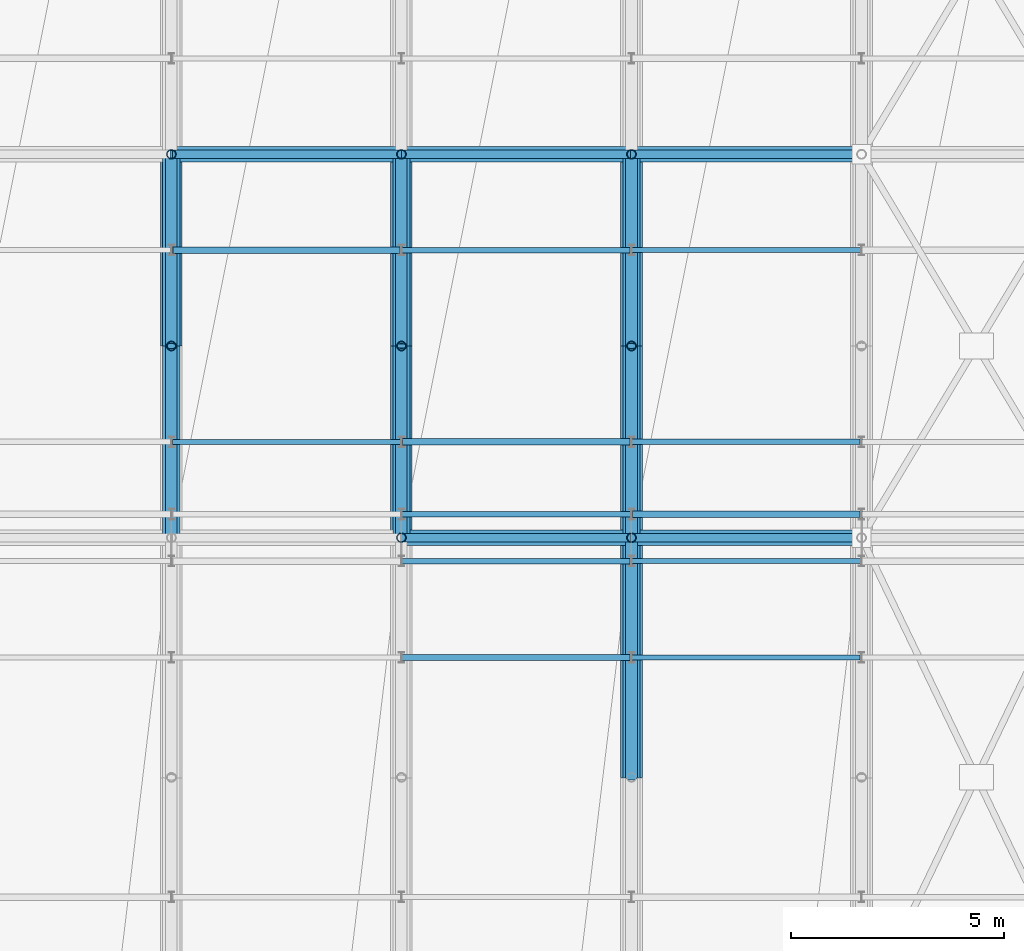
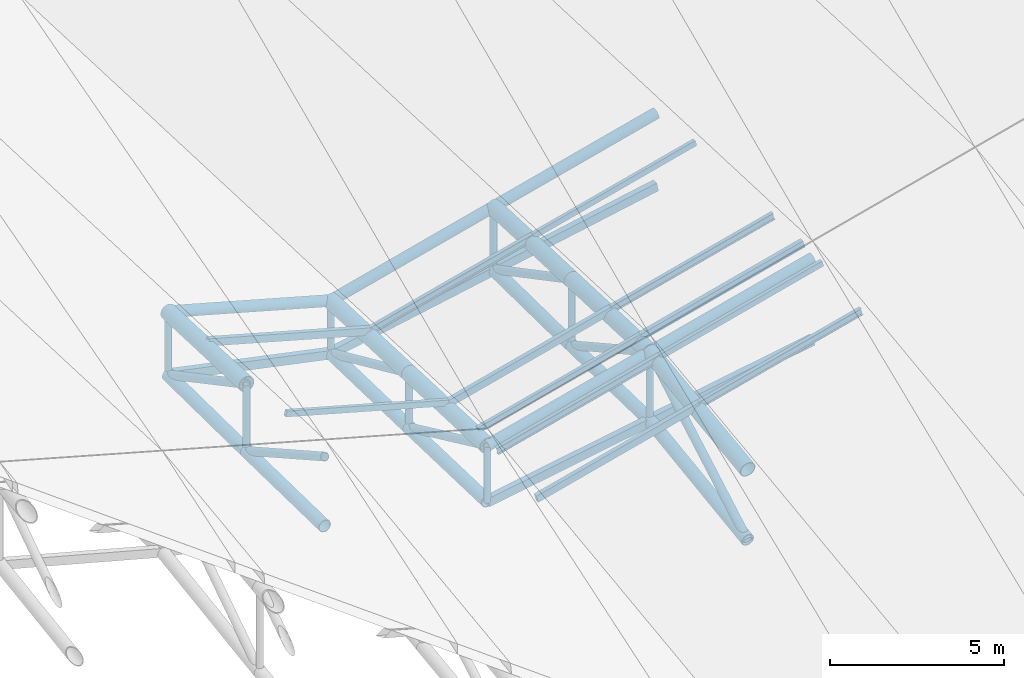
# One storey, part 20 of 109: 37 members, 13 beams.
"""IFC4 building model written with IfcOpenShell, lengths in metres."""

from ifc_helpers import new_model, si_unit, direction, frame, origin, origin_2d, place, context, subcontext, project, spatial, hollow_rectangle, hollow_circle, i_section, extrude, material, material_profile, profile_set, type_object, element, save


model = new_model("IFC4")

# Units and contexts
model_context = context("Model", 3, precision=1e-05, world=origin(), true_north=direction((0.0, 1.0)))
body_context = subcontext(model_context, "Body", "Model", "MODEL_VIEW")
ifc_project = project(units=[si_unit("LENGTHUNIT", "METRE"), si_unit("AREAUNIT", "SQUARE_METRE"), si_unit("VOLUMEUNIT", "CUBIC_METRE"), si_unit("PLANEANGLEUNIT", "RADIAN"), si_unit("MASSUNIT", "GRAM", prefix="KILO")], contexts=[model_context])

# Site, building, storey
site_placement = place(None, origin())
site = spatial("IfcSite", under=ifc_project, at=site_placement, CompositionType="ELEMENT")
building_placement = place(site_placement, origin())
building = spatial("IfcBuilding", under=site, at=building_placement, Name="Suirenkawa Promenade Aquatics Centre", CompositionType="ELEMENT")
storey_placement = place(building_placement, frame((0.0, 0.0, 22.800048828125)))
storey = spatial("IfcBuildingStorey", under=building, at=storey_placement, Name="ROOF", CompositionType="ELEMENT", Elevation=22.800048828125)

# Beams
ifc_material = material(Name="Steel IS 2062 E350 (Grade 350)", Category="steel")
ifc_material_profile_1 = material_profile(ifc_material, hollow_circle(Radius=0.202880859375, WallThickness=0.01806640625, at=origin_2d()), Name="CHS 406x18", Category="steel")
ifc_profile_set_1 = profile_set([ifc_material_profile_1], Name="Steel IS 2062 E350 (Grade 350)")
beam_type_1 = type_object("IfcBeamType", Name="BT-BC-CHS406", PredefinedType="BEAM", material=ifc_profile_set_1)
beam_1_placement = place(storey_placement, frame((84.60009765625, 95.39990234375, -10.14111328125), z_axis=(0.0, 0.99981353231, -0.01931063463), x_axis=(-1.0, 0.0, 0.0)))
element("IfcBeam", 1, at=beam_1_placement, inside=storey, type_object=beam_type_1, Name="ROOF TRUSS V1 bottom chord BC-01 BM-2020", PredefinedType="BEAM", context=body_context, shape_type="SweptSolid", body=[
    extrude(hollow_circle(Radius=0.202880859375, WallThickness=0.01806640625, at=origin_2d()), origin(), (0.0, 0.0, 1.0), 4.500732421875),
])
beam_2_placement = place(storey_placement, frame((84.60009765625, 99.89990234375, -10.22802734375), z_axis=(0.0, 0.999928127491, -0.011989155608), x_axis=(-1.0, 0.0, 0.0)))
element("IfcBeam", 2, at=beam_2_placement, inside=storey, type_object=beam_type_1, Name="ROOF TRUSS V1 bottom chord BC-01 BM-2022", PredefinedType="BEAM", context=body_context, shape_type="SweptSolid", body=[
    extrude(hollow_circle(Radius=0.202880859375, WallThickness=0.01806640625, at=origin_2d()), origin(), (0.0, 0.0, 1.0), 4.500244140625),
])
beam_3_placement = place(storey_placement, frame((90.0, 95.39990234375, -11.156005859375), z_axis=(0.0, 0.999550238504, -0.029988676318), x_axis=(-1.0, 0.0, 0.0)))
element("IfcBeam", 3, at=beam_3_placement, inside=storey, type_object=beam_type_1, Name="ROOF TRUSS V1 bottom chord BC-01 BM-2048", PredefinedType="BEAM", context=body_context, shape_type="SweptSolid", body=[
    extrude(hollow_circle(Radius=0.202880859375, WallThickness=0.01806640625, at=origin_2d()), origin(), (0.0, 0.0, 1.0), 4.501953125),
])
beam_4_placement = place(storey_placement, frame((90.0, 99.89990234375, -11.291015625), z_axis=(0.0, 0.999643939919, -0.026683204125), x_axis=(-1.0, 0.0, 0.0)))
element("IfcBeam", 4, at=beam_4_placement, inside=storey, type_object=beam_type_1, Name="ROOF TRUSS V1 bottom chord BC-01 BM-2050", PredefinedType="BEAM", context=body_context, shape_type="SweptSolid", body=[
    extrude(hollow_circle(Radius=0.202880859375, WallThickness=0.01806640625, at=origin_2d()), origin(), (0.0, 0.0, 1.0), 4.501708984375),
])
beam_5_placement = place(storey_placement, frame((95.39990234375, 89.77490234375, -10.9990234375), z_axis=(0.0, 0.990256578838, 0.139254831399), x_axis=(-1.0, 0.0, 0.0)))
element("IfcBeam", 5, at=beam_5_placement, inside=storey, type_object=beam_type_1, Name="ROOF TRUSS V1 bottom chord BC-01 BM-2074", PredefinedType="BEAM", context=body_context, shape_type="SweptSolid", body=[
    extrude(hollow_circle(Radius=0.202880859375, WallThickness=0.01806640625, at=origin_2d()), origin(), (0.0, 0.0, 1.0), 5.680419921875),
])
beam_6_placement = place(storey_placement, frame((95.39990234375, 95.39990234375, -10.2080078125), z_axis=(0.0, 0.999795303988, -0.020232402799), x_axis=(-1.0, 0.0, 0.0)))
element("IfcBeam", 6, at=beam_6_placement, inside=storey, type_object=beam_type_1, Name="ROOF TRUSS V1 bottom chord BC-01 BM-2076", PredefinedType="BEAM", context=body_context, shape_type="SweptSolid", body=[
    extrude(hollow_circle(Radius=0.202880859375, WallThickness=0.01806640625, at=origin_2d()), origin(), (0.0, 0.0, 1.0), 4.5009765625),
])
beam_7_placement = place(storey_placement, frame((95.39990234375, 99.89990234375, -10.299072265625), z_axis=(0.0, 0.999913821353, -0.013128208809), x_axis=(-1.0, 0.0, 0.0)))
element("IfcBeam", 7, at=beam_7_placement, inside=storey, type_object=beam_type_1, Name="ROOF TRUSS V1 bottom chord BC-01 BM-2078", PredefinedType="BEAM", context=body_context, shape_type="SweptSolid", body=[
    extrude(hollow_circle(Radius=0.202880859375, WallThickness=0.01806640625, at=origin_2d()), origin(), (0.0, 0.0, 1.0), 4.50048828125),
])
ifc_material_profile_2 = material_profile(ifc_material, hollow_circle(Radius=0.25390625, WallThickness=0.02392578125, at=origin_2d()), Name="CHS 508x24", Category="steel")
ifc_profile_set_2 = profile_set([ifc_material_profile_2], Name="Steel IS 2062 E350 (Grade 350)")
beam_type_2 = type_object("IfcBeamType", Name="BT-TC-CHS508", PredefinedType="BEAM", material=ifc_profile_set_2)
for number, where, z_axis, x_axis, name in (
    (8, (84.60009765625, 99.89990234375, -7.883056640625), (0.0, 0.999164352475, -0.040872934124), (-1.0, 0.0, 0.0), "ROOF TRUSS V1 top chord TC-02 BM-2021"),
    (9, (90.0, 95.39990234375, -9.199951171875), (0.0, 0.999173184279, -0.040656460949), (-1.0, 0.0, 0.0), "ROOF TRUSS V1 top chord TC-02 BM-2047"),
    (10, (90.0, 99.89990234375, -9.383056640625), (0.0, 0.999164352475, -0.040872934124), (-1.0, 0.0, 0.0), "ROOF TRUSS V1 top chord TC-02 BM-2049"),
):
    element("IfcBeam", number, at=place(storey_placement, frame(where, z_axis=z_axis, x_axis=x_axis)), inside=storey, type_object=beam_type_2, Name=name, PredefinedType="BEAM", context=body_context, shape_type="SweptSolid", body=[
        extrude(hollow_circle(Radius=0.25390625, WallThickness=0.02392578125, at=origin_2d()), origin(), (0.0, 0.0, 1.0), 4.503662109375),
    ])
beam_8_placement = place(storey_placement, frame((95.39990234375, 89.77490234375, -8.525146484375), z_axis=(0.0, 0.991793720609, 0.127848409297), x_axis=(-1.0, 0.0, 0.0)))
element("IfcBeam", 11, at=beam_8_placement, inside=storey, type_object=beam_type_2, Name="ROOF TRUSS V1 top chord TC-02 BM-2073", PredefinedType="BEAM", context=body_context, shape_type="SweptSolid", body=[
    extrude(hollow_circle(Radius=0.25390625, WallThickness=0.02392578125, at=origin_2d()), origin(), (0.0, 0.0, 1.0), 5.671630859375),
])
for number, where, z_axis, x_axis, name in (
    (12, (95.39990234375, 95.39990234375, -7.800048828125), (0.0, 0.999173184279, -0.040656460949), (-1.0, 0.0, 0.0), "ROOF TRUSS V1 top chord TC-02 BM-2075"),
    (13, (95.39990234375, 99.89990234375, -7.983154296875), (0.0, 0.999166564808, -0.040818816368), (-1.0, 0.0, 0.0), "ROOF TRUSS V1 top chord TC-02 BM-2077"),
):
    element("IfcBeam", number, at=place(storey_placement, frame(where, z_axis=z_axis, x_axis=x_axis)), inside=storey, type_object=beam_type_2, Name=name, PredefinedType="BEAM", context=body_context, shape_type="SweptSolid", body=[
        extrude(hollow_circle(Radius=0.25390625, WallThickness=0.02392578125, at=origin_2d()), origin(), (0.0, 0.0, 1.0), 4.503662109375),
    ])

# Members
ifc_material_profile_3 = material_profile(ifc_material, hollow_circle(Radius=0.177978515625, WallThickness=0.01611328125, at=origin_2d()), Name="CHS 356x16", Category="steel")
ifc_profile_set_3 = profile_set([ifc_material_profile_3], Name="Steel IS 2062 E350 (Grade 350)")
member_type_1 = type_object("IfcMemberType", Name="MT-CHORD-CHS356", PredefinedType="CHORD", material=ifc_profile_set_3)
member_1_placement = place(storey_placement, frame((90.0, 95.39990234375, -9.199951171875), z_axis=(0.968000048288, 0.0, 0.250950007997), x_axis=(0.0, 1.0, 0.0)))
element("IfcMember", 14, at=member_1_placement, inside=storey, type_object=member_type_1, Name="ROOF TRUSS V1 tie chord CH-02 MB-0824", PredefinedType="CHORD", context=body_context, shape_type="SweptSolid", body=[
    extrude(hollow_circle(Radius=0.177978515625, WallThickness=0.01611328125, at=origin_2d()), origin(), (0.0, 0.0, 1.0), 5.578369140625),
])
member_2_placement = place(storey_placement, frame((95.39990234375, 95.39990234375, -7.800048828125), z_axis=(0.96800280427, 0.0, 0.250939376992), x_axis=(0.0, 1.0, 0.0)))
element("IfcMember", 15, at=member_2_placement, inside=storey, type_object=member_type_1, Name="ROOF TRUSS V1 tie chord CH-02 MB-0826", PredefinedType="CHORD", context=body_context, shape_type="SweptSolid", body=[
    extrude(hollow_circle(Radius=0.177978515625, WallThickness=0.01611328125, at=origin_2d()), origin(), (0.0, 0.0, 1.0), 5.57861328125),
])
member_3_placement = place(storey_placement, frame((84.60009765625, 104.39990234375, -8.067138671875), z_axis=(0.963516661409, 0.0, -0.267648357342), x_axis=(0.0, 1.0, 0.0)))
element("IfcMember", 16, at=member_3_placement, inside=storey, type_object=member_type_1, Name="ROOF TRUSS V1 tie chord CH-02 MB-0862", PredefinedType="CHORD", context=body_context, shape_type="SweptSolid", body=[
    extrude(hollow_circle(Radius=0.177978515625, WallThickness=0.01611328125, at=origin_2d()), origin(), (0.0, 0.0, 1.0), 5.604248046875),
])
member_4_placement = place(storey_placement, frame((90.0, 104.39990234375, -9.567138671875), z_axis=(0.967989416096, 0.0, 0.250991016426), x_axis=(0.0, 1.0, 0.0)))
element("IfcMember", 17, at=member_4_placement, inside=storey, type_object=member_type_1, Name="ROOF TRUSS V1 tie chord CH-02 MB-0864", PredefinedType="CHORD", context=body_context, shape_type="SweptSolid", body=[
    extrude(hollow_circle(Radius=0.177978515625, WallThickness=0.01611328125, at=origin_2d()), origin(), (0.0, 0.0, 1.0), 5.578369140625),
])
member_5_placement = place(storey_placement, frame((95.39990234375, 104.39990234375, -8.1669921875), z_axis=(0.96800280427, 0.0, 0.250939376992), x_axis=(0.0, 1.0, 0.0)))
element("IfcMember", 18, at=member_5_placement, inside=storey, type_object=member_type_1, Name="ROOF TRUSS V1 tie chord CH-02 MB-0866", PredefinedType="CHORD", context=body_context, shape_type="SweptSolid", body=[
    extrude(hollow_circle(Radius=0.177978515625, WallThickness=0.01611328125, at=origin_2d()), origin(), (0.0, 0.0, 1.0), 5.57861328125),
])
ifc_material_profile_4 = material_profile(ifc_material, hollow_rectangle(XDim=0.199951171875, YDim=0.300048828125, WallThickness=0.011962890625, at=origin_2d()), Name="RHS 300x200x12", Category="steel")
ifc_profile_set_4 = profile_set([ifc_material_profile_4], Name="Steel IS 2062 E350 (Grade 350)")
member_type_2 = type_object("IfcMemberType", Name="MT-CHORD-RHS300", PredefinedType="CHORD", material=ifc_profile_set_4)
member_6_placement = place(storey_placement, frame((90.0, 95.39990234375, -11.156005859375), z_axis=(0.984936939816, 0.0, 0.172913922475), x_axis=(0.0, 1.0, 0.0)))
element("IfcMember", 19, at=member_6_placement, inside=storey, type_object=member_type_2, Name="ROOF TRUSS V1 bottom tie CH-03 MB-0825", PredefinedType="CHORD", context=body_context, shape_type="SweptSolid", body=[
    extrude(hollow_rectangle(XDim=0.199951171875, YDim=0.300048828125, WallThickness=0.011962890625, at=origin_2d()), origin(), (0.0, 0.0, 1.0), 5.482421875),
])
member_7_placement = place(storey_placement, frame((95.39990234375, 95.39990234375, -10.2080078125), z_axis=(0.984968590512, 0.0, 0.172733539608), x_axis=(0.0, 1.0, 0.0)))
element("IfcMember", 20, at=member_7_placement, inside=storey, type_object=member_type_2, Name="ROOF TRUSS V1 bottom tie CH-03 MB-0827", PredefinedType="CHORD", context=body_context, shape_type="SweptSolid", body=[
    extrude(hollow_rectangle(XDim=0.199951171875, YDim=0.300048828125, WallThickness=0.011962890625, at=origin_2d()), origin(), (0.0, 0.0, 1.0), 5.482666015625),
])
member_8_placement = place(storey_placement, frame((84.60009765625, 104.39990234375, -10.281982421875), z_axis=(0.97882919905, 0.0, -0.204678770486), x_axis=(0.0, 1.0, 0.0)))
element("IfcMember", 21, at=member_8_placement, inside=storey, type_object=member_type_2, Name="ROOF TRUSS V1 bottom tie CH-03 MB-0863", PredefinedType="CHORD", context=body_context, shape_type="SweptSolid", body=[
    extrude(hollow_rectangle(XDim=0.199951171875, YDim=0.300048828125, WallThickness=0.011962890625, at=origin_2d()), origin(), (0.0, 0.0, 1.0), 5.5166015625),
])
member_9_placement = place(storey_placement, frame((90.0, 104.39990234375, -11.4111328125), z_axis=(0.981513167483, 0.0, 0.191394623897), x_axis=(0.0, 1.0, 0.0)))
element("IfcMember", 22, at=member_9_placement, inside=storey, type_object=member_type_2, Name="ROOF TRUSS V1 bottom tie CH-03 MB-0865", PredefinedType="CHORD", context=body_context, shape_type="SweptSolid", body=[
    extrude(hollow_rectangle(XDim=0.199951171875, YDim=0.300048828125, WallThickness=0.011962890625, at=origin_2d()), origin(), (0.0, 0.0, 1.0), 5.501708984375),
])
member_10_placement = place(storey_placement, frame((95.39990234375, 104.39990234375, -10.358154296875), z_axis=(0.981473093254, 0.0, 0.191600018838), x_axis=(0.0, 1.0, 0.0)))
element("IfcMember", 23, at=member_10_placement, inside=storey, type_object=member_type_2, Name="ROOF TRUSS V1 bottom tie CH-03 MB-0867", PredefinedType="CHORD", context=body_context, shape_type="SweptSolid", body=[
    extrude(hollow_rectangle(XDim=0.199951171875, YDim=0.300048828125, WallThickness=0.011962890625, at=origin_2d()), origin(), (0.0, 0.0, 1.0), 5.502197265625),
])
ifc_material_profile_5 = material_profile(ifc_material, i_section(OverallWidth=0.125, OverallDepth=0.25, WebThickness=0.007080078125, FlangeThickness=0.012939453125, at=origin_2d()), Name="ISMB 250", Category="steel")
ifc_profile_set_5 = profile_set([ifc_material_profile_5], Name="Steel IS 2062 E350 (Grade 350)")
member_type_3 = type_object("IfcMemberType", Name="MT-PURLIN-ISMB250", PredefinedType="PURLIN", material=ifc_profile_set_5)
for number, where, z_axis, x_axis, name in (
    (24, (90.0, 94.85009765625, -9.050048828125), (0.968000048288, 0.0, 0.250950007997), (0.0, 1.0, 0.0), "ROOF TRUSS Roof purlin PU-04 MB-1993"),
    (25, (90.0, 102.14990234375, -9.2470703125), (0.968000048288, 0.0, 0.250950007997), (0.0, 1.0, 0.0), "ROOF TRUSS Roof purlin PU-04 MB-1999"),
):
    element("IfcMember", number, at=place(storey_placement, frame(where, z_axis=z_axis, x_axis=x_axis)), inside=storey, type_object=member_type_3, Name=name, PredefinedType="PURLIN", context=body_context, shape_type="SweptSolid", body=[
        extrude(i_section(OverallWidth=0.125, OverallDepth=0.25, WebThickness=0.007080078125, FlangeThickness=0.012939453125, at=origin_2d()), origin(), (0.0, 0.0, 1.0), 5.578369140625),
    ])
member_11_placement = place(storey_placement, frame((95.39990234375, 92.587890625, -7.942138671875), z_axis=(0.967949632626, 0.0, 0.251144398103), x_axis=(0.0, 1.0, 0.0)))
element("IfcMember", 26, at=member_11_placement, inside=storey, type_object=member_type_3, Name="ROOF TRUSS Roof purlin PU-04 MB-2027", PredefinedType="PURLIN", context=body_context, shape_type="SweptSolid", body=[
    extrude(i_section(OverallWidth=0.125, OverallDepth=0.25, WebThickness=0.007080078125, FlangeThickness=0.012939453125, at=origin_2d()), origin(), (0.0, 0.0, 1.0), 5.578857421875),
])
member_12_placement = place(storey_placement, frame((95.39990234375, 97.64990234375, -7.6630859375), z_axis=(0.967992172948, 0.0, 0.250980383917), x_axis=(0.0, 1.0, 0.0)))
element("IfcMember", 27, at=member_12_placement, inside=storey, type_object=member_type_3, Name="ROOF TRUSS Roof purlin PU-04 MB-2033", PredefinedType="PURLIN", context=body_context, shape_type="SweptSolid", body=[
    extrude(i_section(OverallWidth=0.125, OverallDepth=0.25, WebThickness=0.007080078125, FlangeThickness=0.012939453125, at=origin_2d()), origin(), (0.0, 0.0, 1.0), 5.57861328125),
])
ifc_material_profile_6 = material_profile(ifc_material, hollow_rectangle(XDim=0.1201171875, YDim=0.199951171875, WallThickness=0.008056640625, at=origin_2d()), Name="RHS 200x120x8", Category="steel")
ifc_profile_set_6 = profile_set([ifc_material_profile_6], Name="Steel IS 2062 E350 (Grade 350)")
member_type_4 = type_object("IfcMemberType", Name="MT-PURLIN-RHS200", PredefinedType="PURLIN", material=ifc_profile_set_6)
member_13_placement = place(storey_placement, frame((84.60009765625, 97.64990234375, -7.5380859375), z_axis=(0.963516661409, 0.0, -0.267648357342), x_axis=(0.0, 1.0, 0.0)))
element("IfcMember", 28, at=member_13_placement, inside=storey, type_object=member_type_4, Name="ROOF TRUSS Roof purlin PU-02 MB-1961", PredefinedType="PURLIN", context=body_context, shape_type="SweptSolid", body=[
    extrude(hollow_rectangle(XDim=0.1201171875, YDim=0.199951171875, WallThickness=0.008056640625, at=origin_2d()), origin(), (0.0, 0.0, 1.0), 5.604248046875),
])
member_14_placement = place(storey_placement, frame((90.0, 95.949951171875, -8.968994140625), z_axis=(0.968000048288, 0.0, 0.250950007997), x_axis=(0.0, 1.0, 0.0)))
element("IfcMember", 29, at=member_14_placement, inside=storey, type_object=member_type_4, Name="ROOF TRUSS Roof purlin PU-02 MB-1995", PredefinedType="PURLIN", context=body_context, shape_type="SweptSolid", body=[
    extrude(hollow_rectangle(XDim=0.1201171875, YDim=0.199951171875, WallThickness=0.008056640625, at=origin_2d()), origin(), (0.0, 0.0, 1.0), 5.578369140625),
])
for number, where, z_axis, x_axis, name in (
    (30, (95.39990234375, 94.85009765625, -7.625), (0.96800280427, 0.0, 0.250939376992), (0.0, 1.0, 0.0), "ROOF TRUSS Roof purlin PU-02 MB-2029"),
    (31, (95.39990234375, 102.14990234375, -7.822021484375), (0.96800280427, 0.0, 0.250939376992), (0.0, 1.0, 0.0), "ROOF TRUSS Roof purlin PU-02 MB-2035"),
):
    element("IfcMember", number, at=place(storey_placement, frame(where, z_axis=z_axis, x_axis=x_axis)), inside=storey, type_object=member_type_4, Name=name, PredefinedType="PURLIN", context=body_context, shape_type="SweptSolid", body=[
        extrude(hollow_rectangle(XDim=0.1201171875, YDim=0.199951171875, WallThickness=0.008056640625, at=origin_2d()), origin(), (0.0, 0.0, 1.0), 5.57861328125),
    ])
ifc_material_profile_7 = material_profile(ifc_material, hollow_rectangle(XDim=0.14990234375, YDim=0.25, WallThickness=0.010009765625, at=origin_2d()), Name="RHS 250x150x10", Category="steel")
ifc_profile_set_7 = profile_set([ifc_material_profile_7], Name="Steel IS 2062 E350 (Grade 350)")
member_type_5 = type_object("IfcMemberType", Name="MT-PURLIN-RHS250", PredefinedType="PURLIN", material=ifc_profile_set_7)
member_15_placement = place(storey_placement, frame((84.60009765625, 102.14990234375, -7.7470703125), z_axis=(0.963516661409, 0.0, -0.267648357342), x_axis=(0.0, 1.0, 0.0)))
element("IfcMember", 32, at=member_15_placement, inside=storey, type_object=member_type_5, Name="ROOF TRUSS Roof purlin PU-03 MB-1963", PredefinedType="PURLIN", context=body_context, shape_type="SweptSolid", body=[
    extrude(hollow_rectangle(XDim=0.14990234375, YDim=0.25, WallThickness=0.010009765625, at=origin_2d()), origin(), (0.0, 0.0, 1.0), 5.604248046875),
])
for number, where, z_axis, x_axis, name in (
    (33, (90.0, 92.587890625, -9.343017578125), (0.968000048288, 0.0, 0.250950007997), (0.0, 1.0, 0.0), "ROOF TRUSS Roof purlin PU-03 MB-1991"),
    (34, (90.0, 97.64990234375, -9.06396484375), (0.968000048288, 0.0, 0.250950007997), (0.0, 1.0, 0.0), "ROOF TRUSS Roof purlin PU-03 MB-1997"),
):
    element("IfcMember", number, at=place(storey_placement, frame(where, z_axis=z_axis, x_axis=x_axis)), inside=storey, type_object=member_type_5, Name=name, PredefinedType="PURLIN", context=body_context, shape_type="SweptSolid", body=[
        extrude(hollow_rectangle(XDim=0.14990234375, YDim=0.25, WallThickness=0.010009765625, at=origin_2d()), origin(), (0.0, 0.0, 1.0), 5.578369140625),
    ])
member_16_placement = place(storey_placement, frame((95.39990234375, 95.949951171875, -7.594970703125), z_axis=(0.96800280427, 0.0, 0.250939376992), x_axis=(0.0, 1.0, 0.0)))
element("IfcMember", 35, at=member_16_placement, inside=storey, type_object=member_type_5, Name="ROOF TRUSS Roof purlin PU-03 MB-2031", PredefinedType="PURLIN", context=body_context, shape_type="SweptSolid", body=[
    extrude(hollow_rectangle(XDim=0.14990234375, YDim=0.25, WallThickness=0.010009765625, at=origin_2d()), origin(), (0.0, 0.0, 1.0), 5.57861328125),
])
ifc_material_profile_8 = material_profile(ifc_material, hollow_circle(Radius=0.110107421875, WallThickness=0.010009765625, at=origin_2d()), Name="CHS 220x10", Category="steel")
ifc_profile_set_8 = profile_set([ifc_material_profile_8], Name="Steel IS 2062 E350 (Grade 350)")
member_type_6 = type_object("IfcMemberType", Name="MT-WEB-CHS220", PredefinedType="BRACE", material=ifc_profile_set_8)
member_17_placement = place(storey_placement, frame((84.60009765625, 99.89990234375, -10.22802734375), z_axis=(0.0, 0.0, 1.0), x_axis=(1.0, 0.0, 0.0)))
element("IfcMember", 36, at=member_17_placement, inside=storey, type_object=member_type_6, Name="ROOF TRUSS V1 web post TD-01 MB-0212", PredefinedType="BRACE", context=body_context, shape_type="SweptSolid", body=[
    extrude(hollow_circle(Radius=0.110107421875, WallThickness=0.010009765625, at=origin_2d()), origin(), (0.0, 0.0, 1.0), 2.344970703125),
])
member_18_placement = place(storey_placement, frame((84.60009765625, 104.39990234375, -10.281982421875), z_axis=(0.0, 0.0, 1.0), x_axis=(1.0, 0.0, 0.0)))
element("IfcMember", 37, at=member_18_placement, inside=storey, type_object=member_type_6, Name="ROOF TRUSS V1 web post TD-01 MB-0213", PredefinedType="BRACE", context=body_context, shape_type="SweptSolid", body=[
    extrude(hollow_circle(Radius=0.110107421875, WallThickness=0.010009765625, at=origin_2d()), origin(), (0.0, 0.0, 1.0), 2.21484375),
])
member_19_placement = place(storey_placement, frame((90.0, 95.39990234375, -11.156005859375), z_axis=(0.0, 0.0, 1.0), x_axis=(1.0, 0.0, 0.0)))
element("IfcMember", 38, at=member_19_placement, inside=storey, type_object=member_type_6, Name="ROOF TRUSS V1 web post TD-01 MB-0238", PredefinedType="BRACE", context=body_context, shape_type="SweptSolid", body=[
    extrude(hollow_circle(Radius=0.110107421875, WallThickness=0.010009765625, at=origin_2d()), origin(), (0.0, 0.0, 1.0), 1.9560546875),
])
member_20_placement = place(storey_placement, frame((90.0, 99.89990234375, -11.291015625), z_axis=(0.0, 0.0, 1.0), x_axis=(1.0, 0.0, 0.0)))
element("IfcMember", 39, at=member_20_placement, inside=storey, type_object=member_type_6, Name="ROOF TRUSS V1 web post TD-01 MB-0239", PredefinedType="BRACE", context=body_context, shape_type="SweptSolid", body=[
    extrude(hollow_circle(Radius=0.110107421875, WallThickness=0.010009765625, at=origin_2d()), origin(), (0.0, 0.0, 1.0), 1.907958984375),
])
member_21_placement = place(storey_placement, frame((90.0, 104.39990234375, -11.4111328125), z_axis=(0.0, 0.0, 1.0), x_axis=(1.0, 0.0, 0.0)))
element("IfcMember", 40, at=member_21_placement, inside=storey, type_object=member_type_6, Name="ROOF TRUSS V1 web post TD-01 MB-0240", PredefinedType="BRACE", context=body_context, shape_type="SweptSolid", body=[
    extrude(hollow_circle(Radius=0.110107421875, WallThickness=0.010009765625, at=origin_2d()), origin(), (0.0, 0.0, 1.0), 1.843994140625),
])
member_22_placement = place(storey_placement, frame((95.39990234375, 95.39990234375, -10.2080078125), z_axis=(0.0, 0.0, 1.0), x_axis=(1.0, 0.0, 0.0)))
element("IfcMember", 41, at=member_22_placement, inside=storey, type_object=member_type_6, Name="ROOF TRUSS V1 web post TD-01 MB-0265", PredefinedType="BRACE", context=body_context, shape_type="SweptSolid", body=[
    extrude(hollow_circle(Radius=0.110107421875, WallThickness=0.010009765625, at=origin_2d()), origin(), (0.0, 0.0, 1.0), 2.407958984375),
])
member_23_placement = place(storey_placement, frame((95.39990234375, 99.89990234375, -10.299072265625), z_axis=(0.0, 0.0, 1.0), x_axis=(1.0, 0.0, 0.0)))
element("IfcMember", 42, at=member_23_placement, inside=storey, type_object=member_type_6, Name="ROOF TRUSS V1 web post TD-01 MB-0266", PredefinedType="BRACE", context=body_context, shape_type="SweptSolid", body=[
    extrude(hollow_circle(Radius=0.110107421875, WallThickness=0.010009765625, at=origin_2d()), origin(), (0.0, 0.0, 1.0), 2.31591796875),
])
member_24_placement = place(storey_placement, frame((95.39990234375, 104.39990234375, -10.358154296875), z_axis=(0.0, 0.0, 1.0), x_axis=(1.0, 0.0, 0.0)))
element("IfcMember", 43, at=member_24_placement, inside=storey, type_object=member_type_6, Name="ROOF TRUSS V1 web post TD-01 MB-0267", PredefinedType="BRACE", context=body_context, shape_type="SweptSolid", body=[
    extrude(hollow_circle(Radius=0.110107421875, WallThickness=0.010009765625, at=origin_2d()), origin(), (0.0, 0.0, 1.0), 2.191162109375),
])
ifc_material_profile_9 = material_profile(ifc_material, hollow_circle(Radius=0.136962890625, WallThickness=0.011962890625, at=origin_2d()), Name="CHS 274x12", Category="steel")
ifc_profile_set_9 = profile_set([ifc_material_profile_9], Name="Steel IS 2062 E350 (Grade 350)")
member_type_7 = type_object("IfcMemberType", Name="MT-WEB-CHS274", PredefinedType="BRACE", material=ifc_profile_set_9)
member_25_placement = place(storey_placement, frame((84.60009765625, 95.39990234375, -7.699951171875), z_axis=(0.0, 0.871838159917, -0.489794061737), x_axis=(-1.0, 0.0, 0.0)))
element("IfcMember", 44, at=member_25_placement, inside=storey, type_object=member_type_7, Name="ROOF TRUSS V1 web diagonal TD-02 MB-0198", PredefinedType="BRACE", context=body_context, shape_type="SweptSolid", body=[
    extrude(hollow_circle(Radius=0.136962890625, WallThickness=0.011962890625, at=origin_2d()), origin(), (0.0, 0.0, 1.0), 5.16162109375),
])
member_26_placement = place(storey_placement, frame((84.60009765625, 99.89990234375, -7.883056640625), z_axis=(0.0, 0.882440393895, -0.47042422474), x_axis=(-1.0, 0.0, 0.0)))
element("IfcMember", 45, at=member_26_placement, inside=storey, type_object=member_type_7, Name="ROOF TRUSS V1 web diagonal TD-02 MB-0199", PredefinedType="BRACE", context=body_context, shape_type="SweptSolid", body=[
    extrude(hollow_circle(Radius=0.136962890625, WallThickness=0.011962890625, at=origin_2d()), origin(), (0.0, 0.0, 1.0), 5.099609375),
])
member_27_placement = place(storey_placement, frame((90.0, 95.39990234375, -9.199951171875), z_axis=(0.0, 0.906872003825, -0.421406180163), x_axis=(-1.0, 0.0, 0.0)))
element("IfcMember", 46, at=member_27_placement, inside=storey, type_object=member_type_7, Name="ROOF TRUSS V1 web diagonal TD-02 MB-0225", PredefinedType="BRACE", context=body_context, shape_type="SweptSolid", body=[
    extrude(hollow_circle(Radius=0.136962890625, WallThickness=0.011962890625, at=origin_2d()), origin(), (0.0, 0.0, 1.0), 4.962158203125),
])
member_28_placement = place(storey_placement, frame((90.0, 99.89990234375, -9.383056640625), z_axis=(0.0, 0.911688134665, -0.41088288491), x_axis=(-1.0, 0.0, 0.0)))
element("IfcMember", 47, at=member_28_placement, inside=storey, type_object=member_type_7, Name="ROOF TRUSS V1 web diagonal TD-02 MB-0226", PredefinedType="BRACE", context=body_context, shape_type="SweptSolid", body=[
    extrude(hollow_circle(Radius=0.136962890625, WallThickness=0.011962890625, at=origin_2d()), origin(), (0.0, 0.0, 1.0), 4.935791015625),
])
member_29_placement = place(storey_placement, frame((95.39990234375, 89.77490234375, -10.9990234375), z_axis=(0.0, 0.869260555117, 0.4943542124), x_axis=(-1.0, 0.0, 0.0)))
element("IfcMember", 48, at=member_29_placement, inside=storey, type_object=member_type_7, Name="ROOF TRUSS V1 web diagonal TD-02 MB-0251", PredefinedType="BRACE", context=body_context, shape_type="SweptSolid", body=[
    extrude(hollow_circle(Radius=0.136962890625, WallThickness=0.011962890625, at=origin_2d()), origin(), (0.0, 0.0, 1.0), 6.470947265625),
])
member_30_placement = place(storey_placement, frame((95.39990234375, 95.39990234375, -7.800048828125), z_axis=(0.0, 0.87423780635, -0.485497948448), x_axis=(-1.0, 0.0, 0.0)))
element("IfcMember", 49, at=member_30_placement, inside=storey, type_object=member_type_7, Name="ROOF TRUSS V1 web diagonal TD-02 MB-0252", PredefinedType="BRACE", context=body_context, shape_type="SweptSolid", body=[
    extrude(hollow_circle(Radius=0.136962890625, WallThickness=0.011962890625, at=origin_2d()), origin(), (0.0, 0.0, 1.0), 5.1474609375),
])
member_31_placement = place(storey_placement, frame((95.39990234375, 99.89990234375, -7.983154296875), z_axis=(0.0, 0.884384752847, -0.466758619558), x_axis=(-1.0, 0.0, 0.0)))
element("IfcMember", 50, at=member_31_placement, inside=storey, type_object=member_type_7, Name="ROOF TRUSS V1 web diagonal TD-02 MB-0253", PredefinedType="BRACE", context=body_context, shape_type="SweptSolid", body=[
    extrude(hollow_circle(Radius=0.136962890625, WallThickness=0.011962890625, at=origin_2d()), origin(), (0.0, 0.0, 1.0), 5.08837890625),
])

save(model, "model.ifc")
